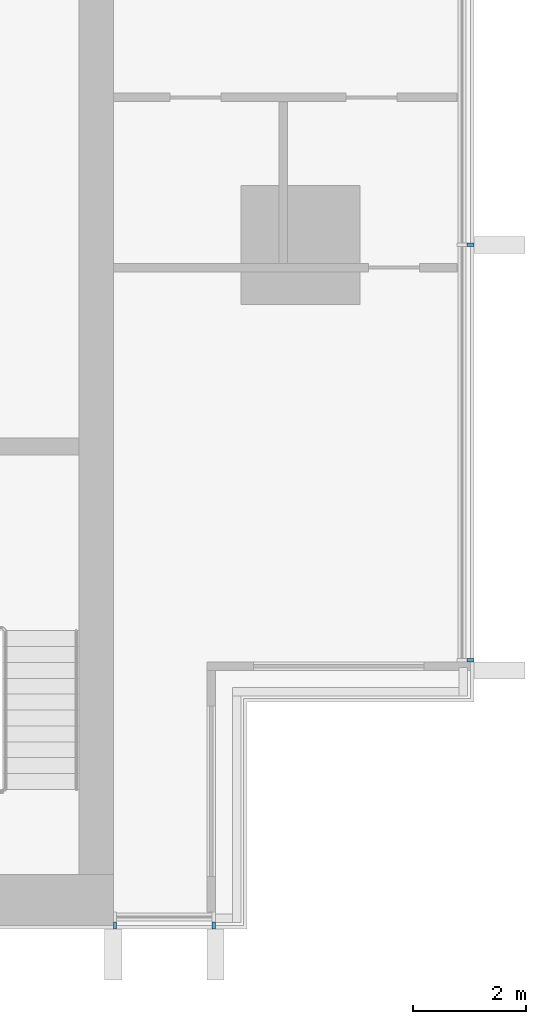
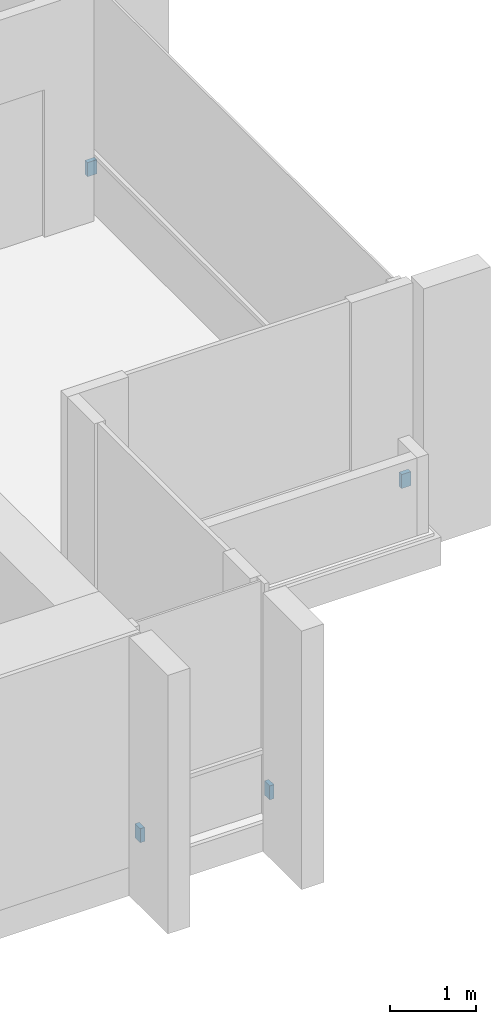
# One storey, part 13 of 17: 4 discrete accessories.
"""IFC4 building model written with IfcOpenShell, lengths in metres."""

from ifc_helpers import new_model, si_unit, direction, frame, origin, origin_2d, place, context, subcontext, project, spatial, rectangle, extrude, material, type_object, element, save


model = new_model("IFC4")

# Units and contexts
model_context = context("Model", 3, precision=1e-05, world=origin(), true_north=direction((0.0, 1.0)))
body_context = subcontext(model_context, "Body", "Model", "MODEL_VIEW")
ifc_project = project(units=[si_unit("LENGTHUNIT", "METRE"), si_unit("AREAUNIT", "SQUARE_METRE"), si_unit("VOLUMEUNIT", "CUBIC_METRE"), si_unit("PLANEANGLEUNIT", "RADIAN"), si_unit("MASSUNIT", "GRAM", prefix="KILO")], contexts=[model_context])

# Site, building, storey
site_placement = place(None, origin())
site = spatial("IfcSite", under=ifc_project, at=site_placement, CompositionType="ELEMENT")
building_placement = place(site_placement, origin())
building = spatial("IfcBuilding", under=site, at=building_placement, Name="Finial Court Residences", CompositionType="ELEMENT")
storey_placement = place(building_placement, frame((0.0, 0.0, 205.10009765625)))
storey = spatial("IfcBuildingStorey", under=building, at=storey_placement, Name="L51", CompositionType="ELEMENT", Elevation=205.10009765625)

# Discrete accessories
ifc_material = material(Name="Stainless steel 316", Category="steel")
discrete_accessory_type = type_object("IfcDiscreteAccessoryType", Name="Fin bracket, stainless steel 60 x 122 x 200", PredefinedType="BRACKET", material=ifc_material)
for number, where, z_axis, x_axis, name in (
    (1, (19.498779296875, -20.820068359375, 0.2998046875), (0.0, 0.0, 1.0), (1.0, 0.0, 0.0), "E-L51-FIN-E7-BRK"),
    (2, (19.498779296875, -13.5, 0.2998046875), (0.0, 0.0, 1.0), (1.0, 0.0, 0.0), "E-L51-FIN-E8-BRK"),
):
    element("IfcDiscreteAccessory", number, at=place(storey_placement, frame(where, z_axis=z_axis, x_axis=x_axis)), inside=storey, type_object=discrete_accessory_type, Name=name, PredefinedType="BRACKET", context=body_context, shape_type="SweptSolid", body=[
        extrude(rectangle(XDim=0.12255859375, YDim=0.06005859375, at=origin_2d()), origin(), (0.0, 0.0, 1.0), 0.199951171875),
    ])
for number, where, z_axis, x_axis, name in (
    (3, (13.22998046875, -25.498779296875, 0.2998046875), (0.0, 0.0, 1.0), (1.0, 0.0, 0.0), "E-L51-FIN-S19-BRK"),
    (4, (14.969970703125, -25.498779296875, 0.2998046875), (0.0, 0.0, 1.0), (1.0, 0.0, 0.0), "E-L51-FIN-S20-BRK"),
):
    element("IfcDiscreteAccessory", number, at=place(storey_placement, frame(where, z_axis=z_axis, x_axis=x_axis)), inside=storey, type_object=discrete_accessory_type, Name=name, PredefinedType="BRACKET", context=body_context, shape_type="SweptSolid", body=[
        extrude(rectangle(XDim=0.06005859375, YDim=0.12255859375, at=origin_2d()), origin(), (0.0, 0.0, 1.0), 0.199951171875),
    ])

save(model, "model.ifc")
